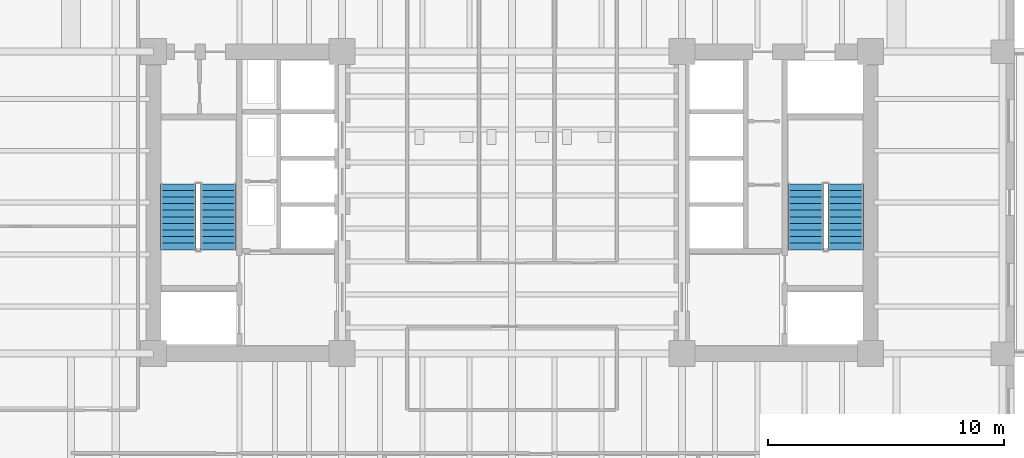
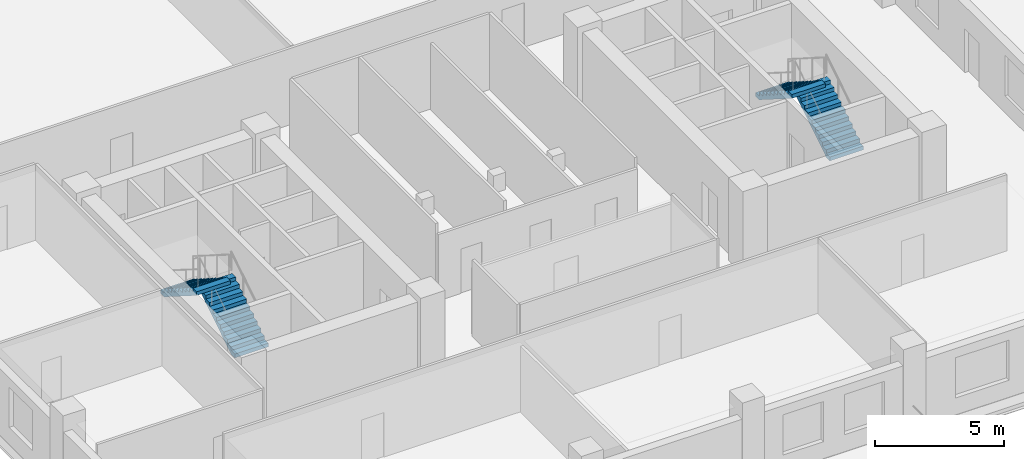
# One storey, part 6 of 11: 4 stair flights, 2 elements without a shape of their own.
"""IFC4 building model written with IfcOpenShell, lengths in metres."""

from ifc_helpers import new_model, si_unit, direction, frame, origin, place, context, subcontext, project, spatial, polyline, outline, extrude, material, type_object, element, aggregate, save


model = new_model("IFC4")

# Units and contexts
model_context = context("Model", 3, precision=1e-05, world=origin(), true_north=direction((0.0, 1.0)))
body_context = subcontext(model_context, "Body", "Model", "MODEL_VIEW")
ifc_project = project(units=[si_unit("LENGTHUNIT", "METRE"), si_unit("AREAUNIT", "SQUARE_METRE"), si_unit("VOLUMEUNIT", "CUBIC_METRE"), si_unit("PLANEANGLEUNIT", "RADIAN"), si_unit("MASSUNIT", "GRAM", prefix="KILO")], contexts=[model_context])

# Site, building, storey
site_placement = place(None, origin())
site = spatial("IfcSite", under=ifc_project, at=site_placement, CompositionType="ELEMENT")
building_placement = place(site_placement, origin())
building = spatial("IfcBuilding", under=site, at=building_placement, Name="Kranthara Brick Stack", CompositionType="ELEMENT")
storey_placement = place(building_placement, frame((0.0, 0.0, 94.5)))
storey = spatial("IfcBuildingStorey", under=building, at=storey_placement, Name="L23", CompositionType="ELEMENT", Elevation=94.5)

# Stair, stair flights
ifc_material_1 = material(Name="Concrete C45/55", Category="concrete")
stair_type = type_object("IfcStairType", Name="ST-CORE-22R", PredefinedType="HALF_TURN_STAIR", material=ifc_material_1)
stair_1_placement = place(storey_placement, origin())
stair_1 = element("IfcStair", 1, at=stair_1_placement, inside=storey, type_object=stair_type, Name="L23 West Core Protected Exit Stair ST01", PredefinedType="HALF_TURN_STAIR")
ifc_material_2 = material(Name="Concrete C45/55", Category="concrete")
stair_flight_type = type_object("IfcStairFlightType", Name="SFL-RC-22R", PredefinedType="STRAIGHT", material=ifc_material_2)
stair_flight_1_placement = place(storey_placement, frame((15.550048828125, 25.199951171875, 0.0), z_axis=(0.0, 0.0, 1.0), x_axis=(0.0, 1.0, 0.0)))
stair_flight_1 = element("IfcStairFlight", 2, at=stair_flight_1_placement, type_object=stair_flight_type, Name="ST01 flight 1", NumberOfRisers=11, NumberOfTreads=10, PredefinedType="STRAIGHT", RiserHeight=0.177272727, TreadLength=0.28, context=body_context, shape_type="SweptSolid", body=[
    extrude(outline(polyline([(0.0, 0.0), (0.0, 0.17724609375), (0.280029296875, 0.17724609375), (0.280029296875, 0.3544921875), (0.56005859375, 0.3544921875), (0.56005859375, 0.53173828125), (0.840087890625, 0.53173828125), (0.840087890625, 0.708984375), (1.1201171875, 0.708984375), (1.1201171875, 0.886474609375), (1.39990234375, 0.886474609375), (1.39990234375, 1.063720703125), (1.679931640625, 1.063720703125), (1.679931640625, 1.240966796875), (1.9599609375, 1.240966796875), (1.9599609375, 1.418212890625), (2.239990234375, 1.418212890625), (2.239990234375, 1.595458984375), (2.52001953125, 1.595458984375), (2.52001953125, 1.772705078125), (2.800048828125, 1.772705078125), (2.800048828125, 1.949951171875), (2.800048828125, 1.59521484375), (0.2802734375, 0.0), (0.0, 0.0)])), frame((0.0, 0.75, 0.0), z_axis=(0.0, -1.0, 0.0), x_axis=(1.0, 0.0, 0.0)), (0.0, 0.0, 1.0), 1.5),
])
stair_flight_2_placement = place(storey_placement, frame((13.85009765625, 28.0, 1.949951171875), z_axis=(0.0, 0.0, 1.0), x_axis=(0.0, -1.0, 0.0)))
stair_flight_2 = element("IfcStairFlight", 3, at=stair_flight_2_placement, type_object=stair_flight_type, Name="ST01 flight 2", NumberOfRisers=11, NumberOfTreads=10, PredefinedType="STRAIGHT", RiserHeight=0.177272727, TreadLength=0.28, context=body_context, shape_type="SweptSolid", body=[
    extrude(outline(polyline([(0.0, 0.0), (0.0, 0.17724609375), (0.280029296875, 0.17724609375), (0.280029296875, 0.3544921875), (0.56005859375, 0.3544921875), (0.56005859375, 0.53173828125), (0.840087890625, 0.53173828125), (0.840087890625, 0.708984375), (1.1201171875, 0.708984375), (1.1201171875, 0.886474609375), (1.39990234375, 0.886474609375), (1.39990234375, 1.063720703125), (1.679931640625, 1.063720703125), (1.679931640625, 1.240966796875), (1.9599609375, 1.240966796875), (1.9599609375, 1.418212890625), (2.239990234375, 1.418212890625), (2.239990234375, 1.595458984375), (2.52001953125, 1.595458984375), (2.52001953125, 1.772705078125), (2.800048828125, 1.772705078125), (2.800048828125, 1.949951171875), (2.800048828125, 1.59521484375), (0.2802734375, 0.0), (0.0, 0.0)])), frame((0.0, 0.75, 0.0), z_axis=(0.0, -1.0, 0.0), x_axis=(1.0, 0.0, 0.0)), (0.0, 0.0, 1.0), 1.5),
])
aggregate(stair_1, [stair_flight_1, stair_flight_2])

stair_2_placement = place(storey_placement, origin())
stair_2 = element("IfcStair", 4, at=stair_2_placement, inside=storey, type_object=stair_type, Name="L23 East Core Protected Exit Stair ST02", PredefinedType="HALF_TURN_STAIR")
stair_flight_3_placement = place(storey_placement, frame((42.14990234375, 25.199951171875, 0.0), z_axis=(0.0, 0.0, 1.0), x_axis=(0.0, 1.0, 0.0)))
stair_flight_3 = element("IfcStairFlight", 5, at=stair_flight_3_placement, type_object=stair_flight_type, Name="ST02 flight 1", NumberOfRisers=11, NumberOfTreads=10, PredefinedType="STRAIGHT", RiserHeight=0.177272727, TreadLength=0.28, context=body_context, shape_type="SweptSolid", body=[
    extrude(outline(polyline([(0.0, 0.0), (0.0, 0.17724609375), (0.280029296875, 0.17724609375), (0.280029296875, 0.3544921875), (0.56005859375, 0.3544921875), (0.56005859375, 0.53173828125), (0.840087890625, 0.53173828125), (0.840087890625, 0.708984375), (1.1201171875, 0.708984375), (1.1201171875, 0.886474609375), (1.39990234375, 0.886474609375), (1.39990234375, 1.063720703125), (1.679931640625, 1.063720703125), (1.679931640625, 1.240966796875), (1.9599609375, 1.240966796875), (1.9599609375, 1.418212890625), (2.239990234375, 1.418212890625), (2.239990234375, 1.595458984375), (2.52001953125, 1.595458984375), (2.52001953125, 1.772705078125), (2.800048828125, 1.772705078125), (2.800048828125, 1.949951171875), (2.800048828125, 1.59521484375), (0.2802734375, 0.0), (0.0, 0.0)])), frame((0.0, 0.75, 0.0), z_axis=(0.0, -1.0, 0.0), x_axis=(1.0, 0.0, 0.0)), (0.0, 0.0, 1.0), 1.5),
])
stair_flight_4_placement = place(storey_placement, frame((40.449951171875, 28.0, 1.949951171875), z_axis=(0.0, 0.0, 1.0), x_axis=(0.0, -1.0, 0.0)))
stair_flight_4 = element("IfcStairFlight", 6, at=stair_flight_4_placement, type_object=stair_flight_type, Name="ST02 flight 2", NumberOfRisers=11, NumberOfTreads=10, PredefinedType="STRAIGHT", RiserHeight=0.177272727, TreadLength=0.28, context=body_context, shape_type="SweptSolid", body=[
    extrude(outline(polyline([(0.0, 0.0), (0.0, 0.17724609375), (0.280029296875, 0.17724609375), (0.280029296875, 0.3544921875), (0.56005859375, 0.3544921875), (0.56005859375, 0.53173828125), (0.840087890625, 0.53173828125), (0.840087890625, 0.708984375), (1.1201171875, 0.708984375), (1.1201171875, 0.886474609375), (1.39990234375, 0.886474609375), (1.39990234375, 1.063720703125), (1.679931640625, 1.063720703125), (1.679931640625, 1.240966796875), (1.9599609375, 1.240966796875), (1.9599609375, 1.418212890625), (2.239990234375, 1.418212890625), (2.239990234375, 1.595458984375), (2.52001953125, 1.595458984375), (2.52001953125, 1.772705078125), (2.800048828125, 1.772705078125), (2.800048828125, 1.949951171875), (2.800048828125, 1.59521484375), (0.2802734375, 0.0), (0.0, 0.0)])), frame((0.0, 0.75, 0.0), z_axis=(0.0, -1.0, 0.0), x_axis=(1.0, 0.0, 0.0)), (0.0, 0.0, 1.0), 1.5),
])
aggregate(stair_2, [stair_flight_3, stair_flight_4])

save(model, "model.ifc")
